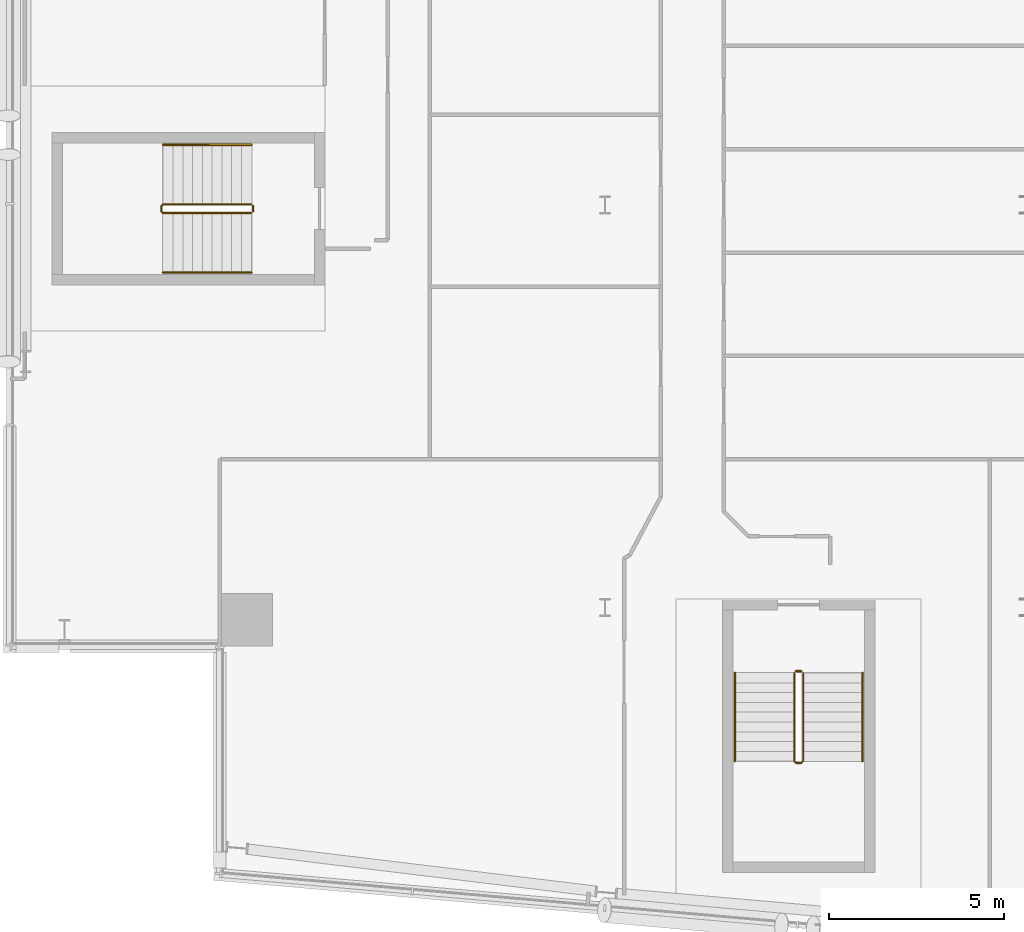
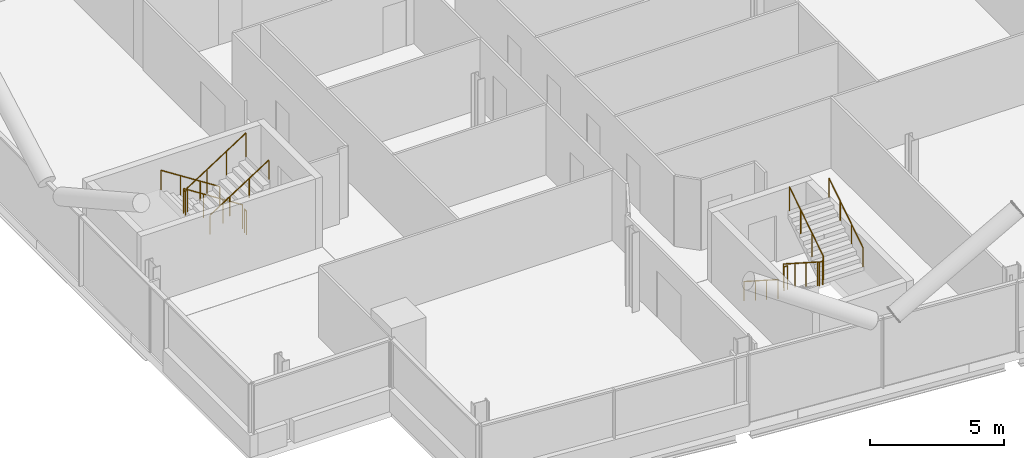
# One storey, part 24 of 26: 8 railings.
"""IFC4 building model written with IfcOpenShell, lengths in metres."""

from ifc_helpers import new_model, si_unit, direction, frame, origin, origin_2d, place, context, subcontext, project, spatial, circle, extrude, material, type_object, element, save


model = new_model("IFC4")

# Units and contexts
model_context = context("Model", 3, precision=1e-05, world=origin(), true_north=direction((0.0, 1.0)))
body_context = subcontext(model_context, "Body", "Model", "MODEL_VIEW")
ifc_project = project(units=[si_unit("LENGTHUNIT", "METRE"), si_unit("AREAUNIT", "SQUARE_METRE"), si_unit("VOLUMEUNIT", "CUBIC_METRE"), si_unit("PLANEANGLEUNIT", "RADIAN"), si_unit("MASSUNIT", "GRAM", prefix="KILO")], contexts=[model_context])

# Site, building, storey
site_placement = place(None, origin())
site = spatial("IfcSite", under=ifc_project, at=site_placement, CompositionType="ELEMENT")
building_placement = place(site_placement, origin())
building = spatial("IfcBuilding", under=site, at=building_placement, Name="Wharfspan Tower", CompositionType="ELEMENT")
storey_placement = place(building_placement, frame((0.0, 0.0, 173.5)))
storey = spatial("IfcBuildingStorey", under=building, at=storey_placement, Name="L42", CompositionType="ELEMENT", Elevation=173.5)

# Railings
ifc_material = material(Name="Steel S355J2", Category="steel")
railing_type_1 = type_object("IfcRailingType", Name="Stair guard 1100", PredefinedType="GUARDRAIL", material=ifc_material)
railing_1_placement = place(storey_placement, frame((13.899902, 23.024902, 0.179932)))
element("IfcRailing", 1, at=railing_1_placement, inside=storey, type_object=railing_type_1, Name="L42 ST3 stair guard 1", PredefinedType="GUARDRAIL", context=body_context, shape_type="SweptSolid", body=[
    extrude(circle(Radius=0.023926, at=origin_2d()), frame((0.0, 0.0, 1.076172), z_axis=(-0.841163, 0.0, 0.540782), x_axis=(0.0, -1.0, 0.0)), (0.0, 0.0, 1.0), 2.99585),
    extrude(circle(Radius=0.023926, at=origin_2d()), frame((-2.52002, 0.0, 2.696289), z_axis=(-0.707107, -0.707107, 0.0), x_axis=(0.707107, -0.707107, 0.0)), (0.0, 0.0, 1.0), 0.070312),
    extrude(circle(Radius=0.023926, at=origin_2d()), frame((-2.569824, -0.049805, 2.696289), z_axis=(0.0, -1.0, 0.0), x_axis=(1.0, 0.0, 0.0)), (0.0, 0.0, 1.0), 0.150146),
    extrude(circle(Radius=0.023926, at=origin_2d()), frame((-2.569824, -0.199951, 2.696289), z_axis=(0.257669, -0.258932, 0.930892), x_axis=(0.708833, 0.705372, -1e-06)), (0.0, 0.0, 1.0), 0.193359),
    extrude(circle(Radius=0.023926, at=origin_2d()), frame((-2.52002, -0.25, 2.875977), z_axis=(0.841163, 0.0, 0.540782), x_axis=(0.0, 1.0, 0.0)), (0.0, 0.0, 1.0), 2.99585),
    extrude(circle(Radius=0.020996, at=origin_2d()), origin(), (0.0, 0.0, 1.0), 1.052002),
    extrude(circle(Radius=0.020996, at=origin_2d()), frame((-0.840088, 0.0, 0.540039)), (0.0, 0.0, 1.0), 1.052002),
    extrude(circle(Radius=0.020996, at=origin_2d()), frame((-1.679932, 0.0, 1.080078)), (0.0, 0.0, 1.0), 1.052002),
    extrude(circle(Radius=0.020996, at=origin_2d()), frame((-2.52002, 0.0, 1.620117)), (0.0, 0.0, 1.0), 1.052002),
    extrude(circle(Radius=0.020996, at=origin_2d()), frame((-2.569824, -0.049805, 1.620117)), (0.0, 0.0, 1.0), 1.052002),
    extrude(circle(Radius=0.020996, at=origin_2d()), frame((-2.569824, -0.199951, 1.620117)), (0.0, 0.0, 1.0), 1.052002),
    extrude(circle(Radius=0.020996, at=origin_2d()), frame((-2.52002, -0.25, 1.800049)), (0.0, 0.0, 1.0), 1.052002),
    extrude(circle(Radius=0.020996, at=origin_2d()), frame((-1.679932, -0.25, 2.340088)), (0.0, 0.0, 1.0), 1.052002),
    extrude(circle(Radius=0.020996, at=origin_2d()), frame((-0.840088, -0.25, 2.880127)), (0.0, 0.0, 1.0), 1.052002),
    extrude(circle(Radius=0.020996, at=origin_2d()), frame((0.0, -0.25, 3.420166)), (0.0, 0.0, 1.0), 1.052002),
])
railing_2_placement = place(storey_placement, frame((13.949951, 22.975098, 0.0)))
element("IfcRailing", 2, at=railing_2_placement, inside=storey, type_object=railing_type_1, Name="L42 ST3 stair guard 2", PredefinedType="GUARDRAIL", context=body_context, shape_type="SweptSolid", body=[
    extrude(circle(Radius=0.023926, at=origin_2d()), frame((0.0, 0.0, 1.076172), z_axis=(0.0, -1.0, 0.0), x_axis=(1.0, 0.0, 0.0)), (0.0, 0.0, 1.0), 0.150146),
    extrude(circle(Radius=0.020996, at=origin_2d()), origin(), (0.0, 0.0, 1.0), 1.052002),
    extrude(circle(Radius=0.020996, at=origin_2d()), frame((0.0, -0.150146, 0.0)), (0.0, 0.0, 1.0), 1.052002),
])
railing_3_placement = place(storey_placement, frame((29.414307, 9.634277, 0.179932)))
element("IfcRailing", 3, at=railing_3_placement, inside=storey, type_object=railing_type_1, Name="L42 ST4 stair guard 1", PredefinedType="GUARDRAIL", context=body_context, shape_type="SweptSolid", body=[
    extrude(circle(Radius=0.023926, at=origin_2d()), frame((0.0, 0.0, 1.076172), z_axis=(0.0, -0.841163, 0.540782), x_axis=(1.0, 0.0, 0.0)), (0.0, 0.0, 1.0), 2.99585),
    extrude(circle(Radius=0.023926, at=origin_2d()), frame((0.0, -2.52002, 2.696289), z_axis=(0.705376, -0.708834, 0.0), x_axis=(0.708834, 0.705376, 0.0)), (0.0, 0.0, 1.0), 0.070557),
    extrude(circle(Radius=0.023926, at=origin_2d()), frame((0.049805, -2.570068, 2.696289), z_axis=(1.0, 0.0, 0.0), x_axis=(0.0, 1.0, 0.0)), (0.0, 0.0, 1.0), 0.150146),
    extrude(circle(Radius=0.023926, at=origin_2d()), frame((0.199951, -2.570068, 2.696289), z_axis=(0.258848, 0.258848, 0.930589), x_axis=(-0.707107, 0.707107, 0.0)), (0.0, 0.0, 1.0), 0.193359),
    extrude(circle(Radius=0.023926, at=origin_2d()), frame((0.25, -2.52002, 2.875977), z_axis=(0.0, 0.841163, 0.540782), x_axis=(-1.0, 0.0, 0.0)), (0.0, 0.0, 1.0), 2.99585),
    extrude(circle(Radius=0.020996, at=origin_2d()), origin(), (0.0, 0.0, 1.0), 1.052002),
    extrude(circle(Radius=0.020996, at=origin_2d()), frame((0.0, -0.840088, 0.540039)), (0.0, 0.0, 1.0), 1.052002),
    extrude(circle(Radius=0.020996, at=origin_2d()), frame((0.0, -1.679932, 1.080078)), (0.0, 0.0, 1.0), 1.052002),
    extrude(circle(Radius=0.020996, at=origin_2d()), frame((0.0, -2.52002, 1.620117)), (0.0, 0.0, 1.0), 1.052002),
    extrude(circle(Radius=0.020996, at=origin_2d()), frame((0.049805, -2.570068, 1.620117)), (0.0, 0.0, 1.0), 1.052002),
    extrude(circle(Radius=0.020996, at=origin_2d()), frame((0.199951, -2.570068, 1.620117)), (0.0, 0.0, 1.0), 1.052002),
    extrude(circle(Radius=0.020996, at=origin_2d()), frame((0.25, -2.52002, 1.800049)), (0.0, 0.0, 1.0), 1.052002),
    extrude(circle(Radius=0.020996, at=origin_2d()), frame((0.25, -1.679932, 2.340088)), (0.0, 0.0, 1.0), 1.052002),
    extrude(circle(Radius=0.020996, at=origin_2d()), frame((0.25, -0.840088, 2.880127)), (0.0, 0.0, 1.0), 1.052002),
    extrude(circle(Radius=0.020996, at=origin_2d()), frame((0.25, 0.0, 3.420166)), (0.0, 0.0, 1.0), 1.052002),
])
railing_4_placement = place(storey_placement, frame((29.464111, 9.684326, 0.0)))
element("IfcRailing", 4, at=railing_4_placement, inside=storey, type_object=railing_type_1, Name="L42 ST4 stair guard 2", PredefinedType="GUARDRAIL", context=body_context, shape_type="SweptSolid", body=[
    extrude(circle(Radius=0.023926, at=origin_2d()), frame((0.0, 0.0, 1.076172), z_axis=(1.0, 0.0, 0.0), x_axis=(0.0, 1.0, 0.0)), (0.0, 0.0, 1.0), 0.150146),
    extrude(circle(Radius=0.020996, at=origin_2d()), origin(), (0.0, 0.0, 1.0), 1.052002),
    extrude(circle(Radius=0.020996, at=origin_2d()), frame((0.150146, 0.0, 0.0)), (0.0, 0.0, 1.0), 1.052002),
])
railing_type_2 = type_object("IfcRailingType", Name="Stair handrail 900", PredefinedType="HANDRAIL", material=ifc_material)
railing_5_placement = place(storey_placement, frame((13.899902, 24.725098, 0.179932)))
element("IfcRailing", 5, at=railing_5_placement, inside=storey, type_object=railing_type_2, Name="L42 ST3 stair handrail 1", PredefinedType="HANDRAIL", context=body_context, shape_type="SweptSolid", body=[
    extrude(circle(Radius=0.023926, at=origin_2d()), frame((0.0, 0.0, 0.875977), z_axis=(-0.841163, 0.0, 0.540782), x_axis=(0.0, -1.0, 0.0)), (0.0, 0.0, 1.0), 2.99585),
    extrude(circle(Radius=0.020996, at=origin_2d()), origin(), (0.0, 0.0, 1.0), 0.851807),
    extrude(circle(Radius=0.020996, at=origin_2d()), frame((-0.840088, 0.0, 0.540039)), (0.0, 0.0, 1.0), 0.851807),
    extrude(circle(Radius=0.020996, at=origin_2d()), frame((-1.679932, 0.0, 1.080078)), (0.0, 0.0, 1.0), 0.851807),
    extrude(circle(Radius=0.020996, at=origin_2d()), frame((-2.52002, 0.0, 1.620117)), (0.0, 0.0, 1.0), 0.851807),
])
railing_6_placement = place(storey_placement, frame((11.379883, 21.074951, 1.97998)))
element("IfcRailing", 6, at=railing_6_placement, inside=storey, type_object=railing_type_2, Name="L42 ST3 stair handrail 2", PredefinedType="HANDRAIL", context=body_context, shape_type="SweptSolid", body=[
    extrude(circle(Radius=0.023926, at=origin_2d()), frame((0.0, 0.0, 0.875977), z_axis=(0.841163, 0.0, 0.540782), x_axis=(0.0, 1.0, 0.0)), (0.0, 0.0, 1.0), 2.99585),
    extrude(circle(Radius=0.020996, at=origin_2d()), origin(), (0.0, 0.0, 1.0), 0.851807),
    extrude(circle(Radius=0.020996, at=origin_2d()), frame((0.840088, 0.0, 0.540039)), (0.0, 0.0, 1.0), 0.851807),
    extrude(circle(Radius=0.020996, at=origin_2d()), frame((1.679932, 0.0, 1.080078)), (0.0, 0.0, 1.0), 0.851807),
    extrude(circle(Radius=0.020996, at=origin_2d()), frame((2.52002, 0.0, 1.620117)), (0.0, 0.0, 1.0), 0.851807),
])
railing_7_placement = place(storey_placement, frame((27.714111, 9.634277, 0.179932)))
element("IfcRailing", 7, at=railing_7_placement, inside=storey, type_object=railing_type_2, Name="L42 ST4 stair handrail 1", PredefinedType="HANDRAIL", context=body_context, shape_type="SweptSolid", body=[
    extrude(circle(Radius=0.023926, at=origin_2d()), frame((0.0, 0.0, 0.875977), z_axis=(0.0, -0.841163, 0.540782), x_axis=(1.0, 0.0, 0.0)), (0.0, 0.0, 1.0), 2.99585),
    extrude(circle(Radius=0.020996, at=origin_2d()), origin(), (0.0, 0.0, 1.0), 0.851807),
    extrude(circle(Radius=0.020996, at=origin_2d()), frame((0.0, -0.840088, 0.540039)), (0.0, 0.0, 1.0), 0.851807),
    extrude(circle(Radius=0.020996, at=origin_2d()), frame((0.0, -1.679932, 1.080078)), (0.0, 0.0, 1.0), 0.851807),
    extrude(circle(Radius=0.020996, at=origin_2d()), frame((0.0, -2.52002, 1.620117)), (0.0, 0.0, 1.0), 0.851807),
])
railing_8_placement = place(storey_placement, frame((31.364258, 7.114258, 1.97998)))
element("IfcRailing", 8, at=railing_8_placement, inside=storey, type_object=railing_type_2, Name="L42 ST4 stair handrail 2", PredefinedType="HANDRAIL", context=body_context, shape_type="SweptSolid", body=[
    extrude(circle(Radius=0.023926, at=origin_2d()), frame((0.0, 0.0, 0.875977), z_axis=(0.0, 0.841163, 0.540782), x_axis=(-1.0, 0.0, 0.0)), (0.0, 0.0, 1.0), 2.99585),
    extrude(circle(Radius=0.020996, at=origin_2d()), origin(), (0.0, 0.0, 1.0), 0.851807),
    extrude(circle(Radius=0.020996, at=origin_2d()), frame((0.0, 0.840088, 0.540039)), (0.0, 0.0, 1.0), 0.851807),
    extrude(circle(Radius=0.020996, at=origin_2d()), frame((0.0, 1.679932, 1.080078)), (0.0, 0.0, 1.0), 0.851807),
    extrude(circle(Radius=0.020996, at=origin_2d()), frame((0.0, 2.52002, 1.620117)), (0.0, 0.0, 1.0), 0.851807),
])

save(model, "model.ifc")
